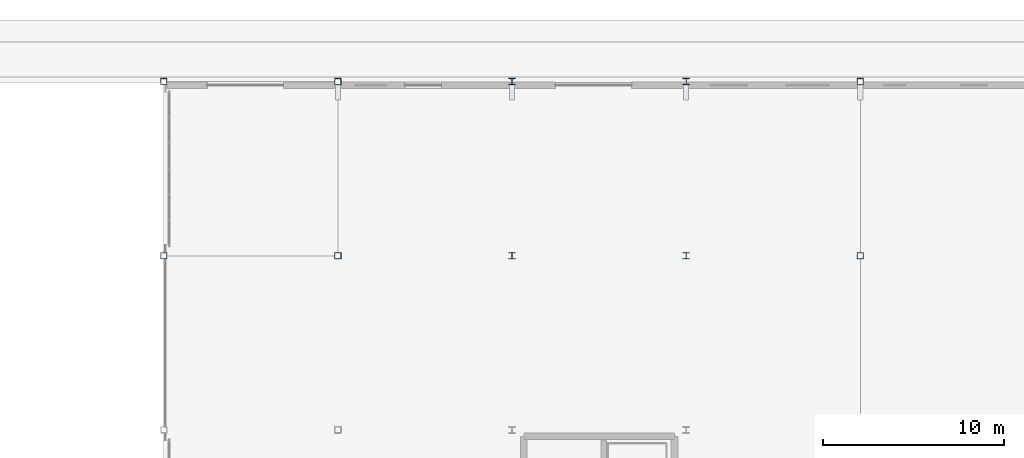
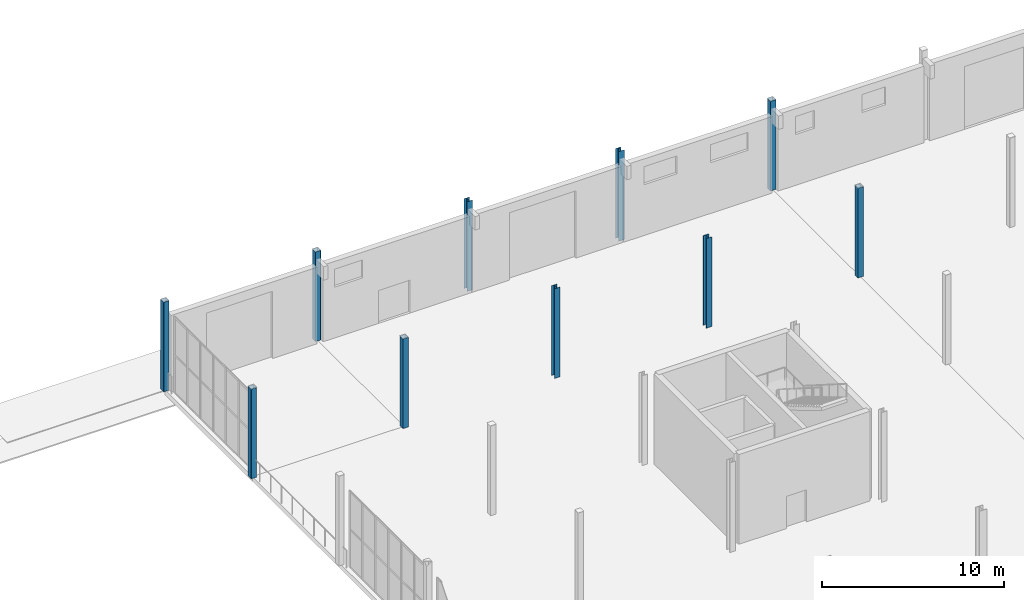
# One storey, part 23 of 139: 10 columns.
"""IFC4 building model written with IfcOpenShell, lengths in metres."""

from ifc_helpers import new_model, si_unit, direction, frame, origin, origin_2d, place, context, subcontext, project, spatial, hollow_rectangle, i_section, extrude, material, material_profile, profile_set, type_object, element, save


model = new_model("IFC4")

# Units and contexts
model_context = context("Model", 3, precision=1e-05, world=origin(), true_north=direction((0.0, 1.0)))
body_context = subcontext(model_context, "Body", "Model", "MODEL_VIEW")
ifc_project = project(units=[si_unit("LENGTHUNIT", "METRE"), si_unit("AREAUNIT", "SQUARE_METRE"), si_unit("VOLUMEUNIT", "CUBIC_METRE"), si_unit("PLANEANGLEUNIT", "RADIAN"), si_unit("MASSUNIT", "GRAM", prefix="KILO")], contexts=[model_context])

# Site, building, storey
site_placement = place(None, origin())
site = spatial("IfcSite", under=ifc_project, at=site_placement, CompositionType="ELEMENT")
building_placement = place(site_placement, origin())
building = spatial("IfcBuilding", under=site, at=building_placement, Name="Yeouljin Market Hall", CompositionType="ELEMENT")
storey_placement = place(building_placement, origin())
storey = spatial("IfcBuildingStorey", under=building, at=storey_placement, Name="L00", CompositionType="ELEMENT", Elevation=0.0)

# Columns
ifc_material_1 = material(Name="Steel SM355", Category="steel")
ifc_material_profile_1 = material_profile(ifc_material_1, i_section(OverallWidth=0.35009765625, OverallDepth=0.35009765625, WebThickness=0.011962890625, FlangeThickness=0.01904296875, FilletRadius=0.02001953125, at=origin_2d()), Name="H-350x350x12x19")
ifc_profile_set_1 = profile_set([ifc_material_profile_1], Name="Steel SM355")
column_type_1 = type_object("IfcColumnType", Name="Col_H-350x350x12x19", PredefinedType="COLUMN", material=ifc_profile_set_1)
for number, where, z_axis, x_axis, name in (
    (1, (64.199951171875, 108.0, 0.0), (0.0, 0.0, 1.0), (1.0, 0.0, 0.0), "Column G-08-11 (L00)"),
    (2, (64.199951171875, 117.60009765625, 0.0), (0.0, 0.0, 1.0), (1.0, 0.0, 0.0), "Column G-08-12 (L00)"),
    (3, (73.800048828125, 108.0, 0.0), (0.0, 0.0, 1.0), (1.0, 0.0, 0.0), "Column G-09-11 (L00)"),
    (4, (73.800048828125, 117.60009765625, 0.0), (0.0, 0.0, 1.0), (1.0, 0.0, 0.0), "Column G-09-12 (L00)"),
):
    element("IfcColumn", number, at=place(storey_placement, frame(where, z_axis=z_axis, x_axis=x_axis)), inside=storey, type_object=column_type_1, Name=name, PredefinedType="COLUMN", context=body_context, shape_type="SweptSolid", body=[
        extrude(i_section(OverallWidth=0.35009765625, OverallDepth=0.35009765625, WebThickness=0.011962890625, FlangeThickness=0.01904296875, FilletRadius=0.02001953125, at=origin_2d()), origin(), (0.0, 0.0, 1.0), 6.0),
    ])
ifc_material_2 = material(Name="Steel SM355", Category="steel")
ifc_material_profile_2 = material_profile(ifc_material_2, hollow_rectangle(XDim=0.35009765625, YDim=0.35009765625, WallThickness=0.011962890625, InnerFilletRadius=0.011962890625, OuterFilletRadius=0.01611328125, at=origin_2d()), Name="SHS-350x350x12")
ifc_profile_set_2 = profile_set([ifc_material_profile_2], Name="Steel SM355")
column_type_2 = type_object("IfcColumnType", Name="Col_SHS-350x350x12", PredefinedType="COLUMN", material=ifc_profile_set_2)
for number, where, z_axis, x_axis, name in (
    (5, (45.0, 108.0, 0.0), (0.0, 0.0, 1.0), (1.0, 0.0, 0.0), "Column G-06-11 (L00)"),
    (6, (45.0, 117.60009765625, 0.0), (0.0, 0.0, 1.0), (1.0, 0.0, 0.0), "Column G-06-12 (L00)"),
    (7, (54.60009765625, 108.0, 0.0), (0.0, 0.0, 1.0), (1.0, 0.0, 0.0), "Column G-07-11 (L00)"),
    (8, (54.60009765625, 117.60009765625, 0.0), (0.0, 0.0, 1.0), (1.0, 0.0, 0.0), "Column G-07-12 (L00)"),
    (9, (83.39990234375, 108.0, 0.0), (0.0, 0.0, 1.0), (1.0, 0.0, 0.0), "Column G-10-11 (L00)"),
    (10, (83.39990234375, 117.60009765625, 0.0), (0.0, 0.0, 1.0), (1.0, 0.0, 0.0), "Column G-10-12 (L00)"),
):
    element("IfcColumn", number, at=place(storey_placement, frame(where, z_axis=z_axis, x_axis=x_axis)), inside=storey, type_object=column_type_2, Name=name, PredefinedType="COLUMN", context=body_context, shape_type="SweptSolid", body=[
        extrude(hollow_rectangle(XDim=0.35009765625, YDim=0.35009765625, WallThickness=0.011962890625, InnerFilletRadius=0.011962890625, OuterFilletRadius=0.01611328125, at=origin_2d()), origin(), (0.0, 0.0, 1.0), 6.0),
    ])

save(model, "model.ifc")
